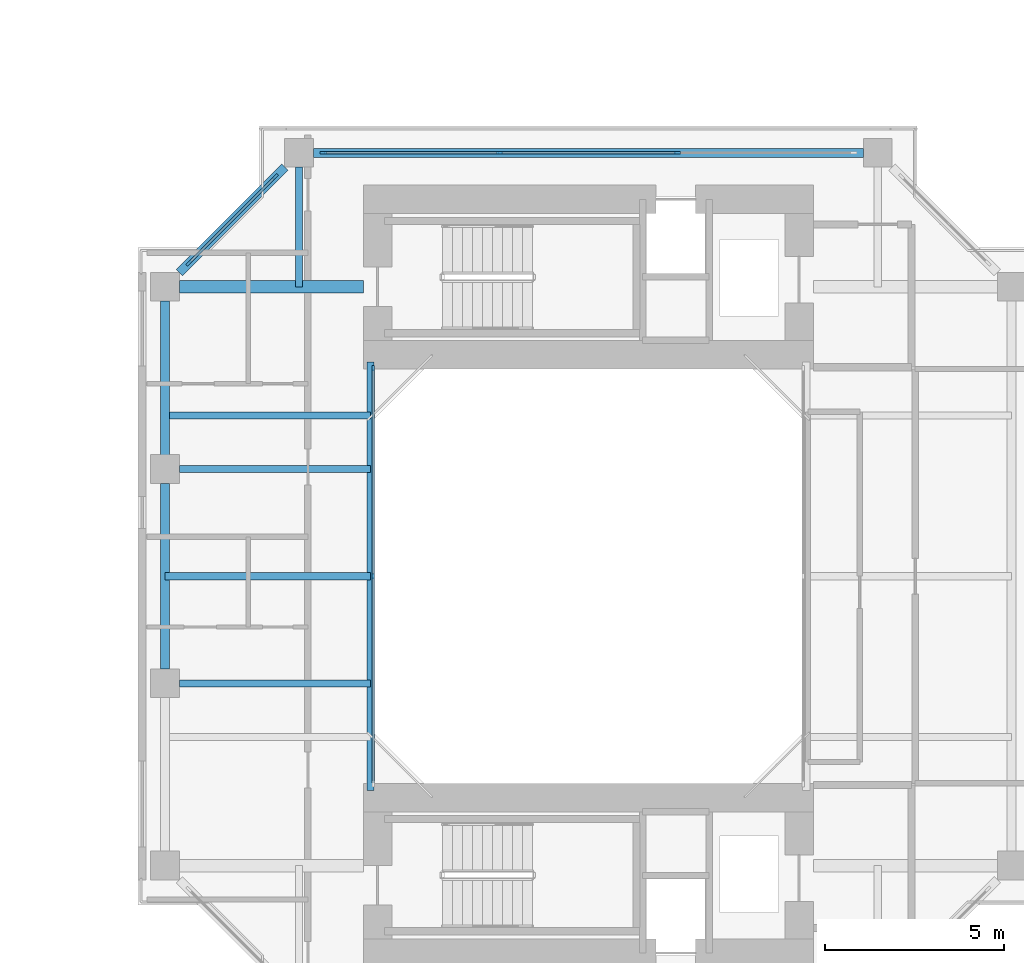
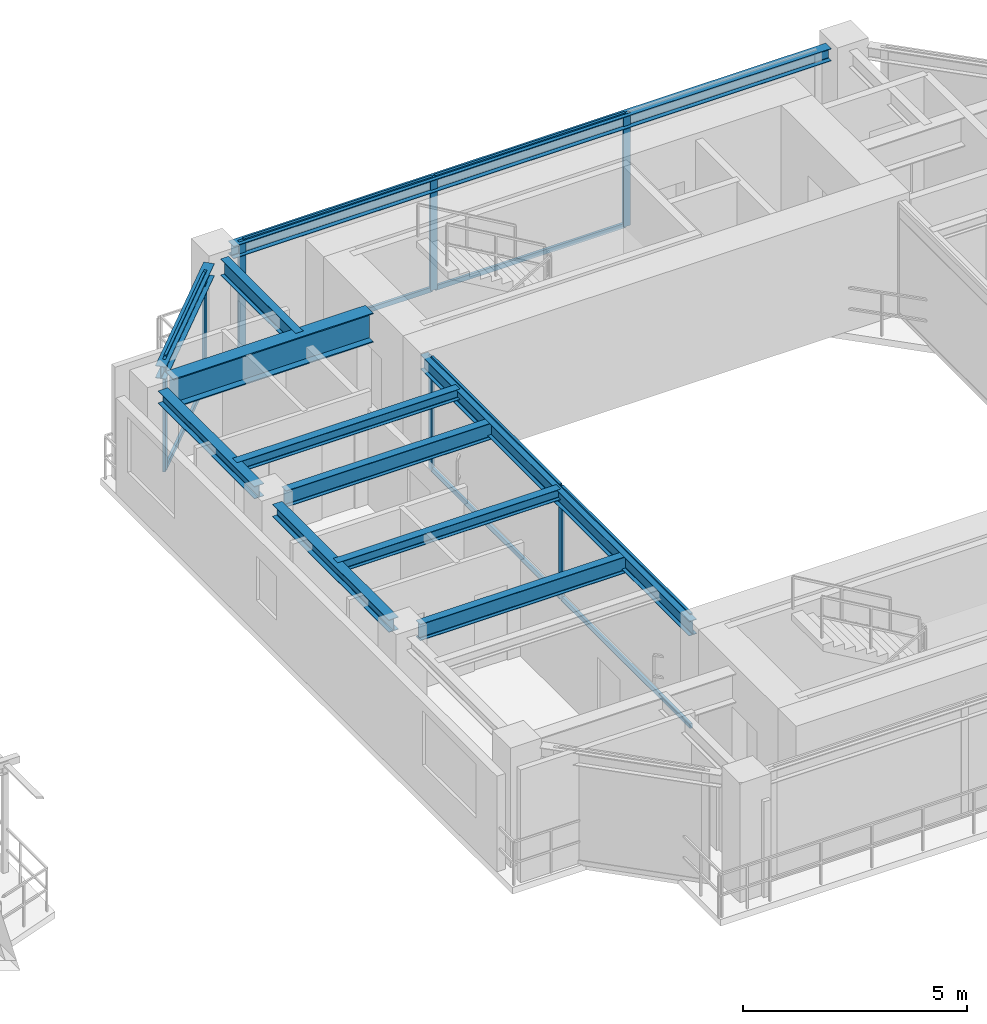
# One storey, part 8 of 23: 17 members, 11 beams, 3 elements without a shape of their own.
"""IFC4 building model written with IfcOpenShell, lengths in metres."""

from ifc_helpers import new_model, si_unit, direction, frame, origin, origin_2d, place, context, subcontext, project, spatial, rectangle, i_section, extrude, source, transform, mapped, material, layer, layer_set, material_profile, profile_set, type_object, element, aggregate, save


model = new_model("IFC4")

# Units and contexts
model_context = context("Model", 3, precision=1e-05, world=origin(), true_north=direction((0.0, 1.0)))
body_context = subcontext(model_context, "Body", "Model", "MODEL_VIEW")
ifc_project = project(units=[si_unit("LENGTHUNIT", "METRE"), si_unit("AREAUNIT", "SQUARE_METRE"), si_unit("VOLUMEUNIT", "CUBIC_METRE"), si_unit("PLANEANGLEUNIT", "RADIAN"), si_unit("MASSUNIT", "GRAM", prefix="KILO"), si_unit("THERMODYNAMICTEMPERATUREUNIT", "KELVIN"), si_unit("POWERUNIT", "WATT")], contexts=[model_context])

# Site, building, storey
site_placement = place(None, origin())
site = spatial("IfcSite", under=ifc_project, at=site_placement, CompositionType="ELEMENT")
building_placement = place(site_placement, origin())
building = spatial("IfcBuilding", under=site, at=building_placement, Name="Qiaomeng Ring Towers", CompositionType="ELEMENT")
storey_placement = place(building_placement, frame((0.0, 0.0, 103.5)))
storey = spatial("IfcBuildingStorey", under=building, at=storey_placement, Name="L29", CompositionType="ELEMENT", Elevation=103.5)

# Beams
ifc_material_1 = material(Name="Steel Q355B", Category="steel")
ifc_material_profile_1 = material_profile(ifc_material_1, i_section(OverallWidth=0.199951171875, OverallDepth=0.39990234375, WebThickness=0.008056640625, FlangeThickness=0.012939453125, FilletRadius=0.01611328125, at=origin_2d()), Name="HN 400x200x8x13")
ifc_profile_set_1 = profile_set([ifc_material_profile_1], Name="Steel Q355B")
beam_type_1 = type_object("IfcBeamType", Name="STR-BM-HN400", PredefinedType="SPANDREL", material=ifc_profile_set_1)
shared_shape_1 = source(origin(), body_context, "Body", "SweptSolid", [
    extrude(i_section(OverallWidth=0.199951171875, OverallDepth=0.39990234375, WebThickness=0.008056640625, FlangeThickness=0.012939453125, FilletRadius=0.01611328125, at=origin_2d()), origin(), (0.0, 0.0, 1.0), 12.0),
])
beam_1_placement = place(storey_placement, frame((54.39990234375, 17.0, 2.8701171875), z_axis=(0.0, 1.0, 0.0), x_axis=(-1.0, 0.0, 0.0)))
element("IfcBeam", 1, at=beam_1_placement, inside=storey, type_object=beam_type_1, Name="L29 beam STR-BM-L29-T2-WELL-W", PredefinedType="SPANDREL", context=body_context, shape_type="MappedRepresentation", body=[
    mapped(shared_shape_1, transform((0.0, 0.0, 0.0), x_axis=(1.0, 0.0, 0.0), y_axis=(0.0, 1.0, 0.0), z_axis=(0.0, 0.0, 1.0), scale=1.0)),
])
ifc_material_profile_2 = material_profile(ifc_material_1, i_section(OverallWidth=0.25, OverallDepth=0.340087890625, WebThickness=0.009033203125, FlangeThickness=0.013916015625, FilletRadius=0.02001953125, at=origin_2d()), Name="HM 340x250x9x14")
ifc_profile_set_2 = profile_set([ifc_material_profile_2], Name="Steel Q355B")
beam_type_2 = type_object("IfcBeamType", Name="STR-BM-HM340", PredefinedType="SPANDREL", material=ifc_profile_set_2)
shared_shape_2 = source(origin(), body_context, "Body", "SweptSolid", [
    extrude(i_section(OverallWidth=0.25, OverallDepth=0.340087890625, WebThickness=0.009033203125, FlangeThickness=0.013916015625, FilletRadius=0.02001953125, at=origin_2d()), origin(), (0.0, 0.0, 1.0), 15.40185546875),
])
beam_2_placement = place(storey_placement, frame((68.200927734375, 34.85009765625, 2.89990234375), z_axis=(-1.0, 0.0, 0.0), x_axis=(0.0, -1.0, 0.0)))
element("IfcBeam", 2, at=beam_2_placement, inside=storey, type_object=beam_type_2, Name="L29 beam STR-SP-L29-T2-N2-N1", PredefinedType="SPANDREL", context=body_context, shape_type="MappedRepresentation", body=[
    mapped(shared_shape_2, transform((0.0, 0.0, 0.0), x_axis=(1.0, 0.0, 0.0), y_axis=(0.0, 1.0, 0.0), z_axis=(0.0, 0.0, 1.0), scale=1.0)),
])
shared_shape_3 = source(origin(), body_context, "Body", "SweptSolid", [
    extrude(i_section(OverallWidth=0.25, OverallDepth=0.340087890625, WebThickness=0.009033203125, FlangeThickness=0.013916015625, FilletRadius=0.02001953125, at=origin_2d()), origin(), (0.0, 0.0, 1.0), 4.173828125),
])
beam_3_placement = place(storey_placement, frame((52.000732421875, 34.45068359375, 2.89990234375), z_axis=(-0.707106781187, -0.707106781187, 0.0), x_axis=(0.707106781187, -0.707106781187, 0.0)))
element("IfcBeam", 3, at=beam_3_placement, inside=storey, type_object=beam_type_2, Name="L29 beam STR-SP-L29-T2-N1-W4", PredefinedType="SPANDREL", context=body_context, shape_type="MappedRepresentation", body=[
    mapped(shared_shape_3, transform((0.0, 0.0, 0.0), x_axis=(1.0, 0.0, 0.0), y_axis=(0.0, 1.0, 0.0), z_axis=(0.0, 0.0, 1.0), scale=1.0)),
])
shared_shape_4 = source(origin(), body_context, "Body", "SweptSolid", [
    extrude(i_section(OverallWidth=0.25, OverallDepth=0.340087890625, WebThickness=0.009033203125, FlangeThickness=0.013916015625, FilletRadius=0.02001953125, at=origin_2d()), origin(), (0.0, 0.0, 1.0), 4.302001953125),
])
beam_4_placement = place(storey_placement, frame((48.64990234375, 30.700927734375, 2.89990234375), z_axis=(0.0, -1.0, 0.0), x_axis=(1.0, 0.0, 0.0)))
element("IfcBeam", 4, at=beam_4_placement, inside=storey, type_object=beam_type_2, Name="L29 beam STR-SP-L29-T2-W4-W3", PredefinedType="SPANDREL", context=body_context, shape_type="MappedRepresentation", body=[
    mapped(shared_shape_4, transform((0.0, 0.0, 0.0), x_axis=(1.0, 0.0, 0.0), y_axis=(0.0, 1.0, 0.0), z_axis=(0.0, 0.0, 1.0), scale=1.0)),
])
shared_shape_5 = source(origin(), body_context, "Body", "SweptSolid", [
    extrude(i_section(OverallWidth=0.25, OverallDepth=0.340087890625, WebThickness=0.009033203125, FlangeThickness=0.013916015625, FilletRadius=0.02001953125, at=origin_2d()), origin(), (0.0, 0.0, 1.0), 5.2021484375),
])
beam_5_placement = place(storey_placement, frame((48.64990234375, 25.60107421875, 2.89990234375), z_axis=(0.0, -1.0, 0.0), x_axis=(1.0, 0.0, 0.0)))
element("IfcBeam", 5, at=beam_5_placement, inside=storey, type_object=beam_type_2, Name="L29 beam STR-SP-L29-T2-W3-W2", PredefinedType="SPANDREL", context=body_context, shape_type="MappedRepresentation", body=[
    mapped(shared_shape_5, transform((0.0, 0.0, 0.0), x_axis=(1.0, 0.0, 0.0), y_axis=(0.0, 1.0, 0.0), z_axis=(0.0, 0.0, 1.0), scale=1.0)),
])
ifc_material_2 = material(Name="Steel Q390GJC", Category="steel")
ifc_material_profile_3 = material_profile(ifc_material_2, i_section(OverallWidth=0.35009765625, OverallDepth=0.800048828125, WebThickness=0.01611328125, FlangeThickness=0.028076171875, at=origin_2d()), Name="WH 800x350x16x28")
ifc_profile_set_3 = profile_set([ifc_material_profile_3], Name="Steel Q390GJC")
beam_type_3 = type_object("IfcBeamType", Name="STR-BM-WH800", PredefinedType="BEAM", material=ifc_profile_set_3)
shared_shape_6 = source(origin(), body_context, "Body", "SweptSolid", [
    extrude(i_section(OverallWidth=0.35009765625, OverallDepth=0.800048828125, WebThickness=0.01611328125, FlangeThickness=0.028076171875, at=origin_2d()), origin(), (0.0, 0.0, 1.0), 5.15087890625),
])
beam_6_placement = place(storey_placement, frame((49.049072265625, 31.10009765625, 2.669921875), z_axis=(1.0, 0.0, 0.0), x_axis=(0.0, 1.0, 0.0)))
element("IfcBeam", 6, at=beam_6_placement, inside=storey, type_object=beam_type_3, Name="L29 beam STR-BM-L29-T2-RAD-W4", PredefinedType="BEAM", context=body_context, shape_type="MappedRepresentation", body=[
    mapped(shared_shape_6, transform((0.0, 0.0, 0.0), x_axis=(1.0, 0.0, 0.0), y_axis=(0.0, 1.0, 0.0), z_axis=(0.0, 0.0, 1.0), scale=1.0)),
])
ifc_material_profile_4 = material_profile(ifc_material_1, i_section(OverallWidth=0.199951171875, OverallDepth=0.449951171875, WebThickness=0.009033203125, FlangeThickness=0.013916015625, FilletRadius=0.01806640625, at=origin_2d()), Name="HN 450x200x9x14")
ifc_profile_set_4 = profile_set([ifc_material_profile_4], Name="Steel Q355B")
beam_type_4 = type_object("IfcBeamType", Name="STR-BM-HN450", PredefinedType="SPANDREL", material=ifc_profile_set_4)
shared_shape_7 = source(origin(), body_context, "Body", "SweptSolid", [
    extrude(i_section(OverallWidth=0.199951171875, OverallDepth=0.449951171875, WebThickness=0.009033203125, FlangeThickness=0.013916015625, FilletRadius=0.01806640625, at=origin_2d()), origin(), (0.0, 0.0, 1.0), 5.350830078125),
])
for number, where, z_axis, x_axis, name in (
    (7, (49.049072265625, 20.0, 2.844970703125), (1.0, 0.0, 0.0), (0.0, 1.0, 0.0), "L29 beam STR-BM-L29-T2-RAD-W2"),
    (8, (49.049072265625, 26.0, 2.844970703125), (1.0, 0.0, 0.0), (0.0, 1.0, 0.0), "L29 beam STR-BM-L29-T2-RAD-W3"),
):
    element("IfcBeam", number, at=place(storey_placement, frame(where, z_axis=z_axis, x_axis=x_axis)), inside=storey, type_object=beam_type_4, Name=name, PredefinedType="SPANDREL", context=body_context, shape_type="MappedRepresentation", body=[
        mapped(shared_shape_7, transform((0.0, 0.0, 0.0), x_axis=(1.0, 0.0, 0.0), y_axis=(0.0, 1.0, 0.0), z_axis=(0.0, 0.0, 1.0), scale=1.0)),
    ])
shared_shape_8 = source(origin(), body_context, "Body", "SweptSolid", [
    extrude(i_section(OverallWidth=0.199951171875, OverallDepth=0.449951171875, WebThickness=0.009033203125, FlangeThickness=0.013916015625, FilletRadius=0.01806640625, at=origin_2d()), origin(), (0.0, 0.0, 1.0), 3.350830078125),
])
beam_7_placement = place(storey_placement, frame((52.39990234375, 34.450927734375, 2.844970703125), z_axis=(0.0, -1.0, 0.0), x_axis=(1.0, 0.0, 0.0)))
element("IfcBeam", 9, at=beam_7_placement, inside=storey, type_object=beam_type_4, Name="L29 beam STR-BM-L29-T2-RAD-N1", PredefinedType="SPANDREL", context=body_context, shape_type="MappedRepresentation", body=[
    mapped(shared_shape_8, transform((0.0, 0.0, 0.0), x_axis=(1.0, 0.0, 0.0), y_axis=(0.0, 1.0, 0.0), z_axis=(0.0, 0.0, 1.0), scale=1.0)),
])
ifc_material_profile_5 = material_profile(ifc_material_1, i_section(OverallWidth=0.199951171875, OverallDepth=0.2939453125, WebThickness=0.008056640625, FlangeThickness=0.011962890625, FilletRadius=0.01806640625, at=origin_2d()), Name="HM 294x200x8x12")
ifc_profile_set_5 = profile_set([ifc_material_profile_5], Name="Steel Q355B")
beam_type_5 = type_object("IfcBeamType", Name="STR-BM-HM294", PredefinedType="JOIST", material=ifc_profile_set_5)
shared_shape_9 = source(origin(), body_context, "Body", "SweptSolid", [
    extrude(i_section(OverallWidth=0.199951171875, OverallDepth=0.2939453125, WebThickness=0.008056640625, FlangeThickness=0.011962890625, FilletRadius=0.01806640625, at=origin_2d()), origin(), (0.0, 0.0, 1.0), 5.75),
])
for number, where, z_axis, x_axis, name in (
    (10, (48.64990234375, 23.0, 2.923095703125), (1.0, 0.0, 0.0), (0.0, 1.0, 0.0), "L29 beam STR-JST-L29-T2W-2"),
    (11, (48.64990234375, 27.5, 2.923095703125), (1.0, 0.0, 0.0), (0.0, 1.0, 0.0), "L29 beam STR-JST-L29-T2W-3"),
):
    element("IfcBeam", number, at=place(storey_placement, frame(where, z_axis=z_axis, x_axis=x_axis)), inside=storey, type_object=beam_type_5, Name=name, PredefinedType="JOIST", context=body_context, shape_type="MappedRepresentation", body=[
        mapped(shared_shape_9, transform((0.0, 0.0, 0.0), x_axis=(1.0, 0.0, 0.0), y_axis=(0.0, 1.0, 0.0), z_axis=(0.0, 0.0, 1.0), scale=1.0)),
    ])

# Curtain wall, members
ifc_material_3 = material(Name="Fluorocarbon dark-grey aluminium", Category="aluminium")
ifc_layer_1 = layer(ifc_material_3, 0.139892578125, Name="Fluorocarbon dark-grey aluminium")
ifc_layer_set_1 = layer_set([ifc_layer_1], Name="Fluorocarbon dark-grey aluminium")
curtain_wall_type_1 = type_object("IfcCurtainWallType", Name="ARC-CW-4", PredefinedType="NOTDEFINED", material=ifc_layer_set_1)
curtain_wall_1_placement = place(storey_placement, origin())
curtain_wall_1 = element("IfcCurtainWall", 12, at=curtain_wall_1_placement, inside=storey, type_object=curtain_wall_type_1, Name="L29 Curtain Wall CW4", PredefinedType="NOTDEFINED")
ifc_material_profile_6 = material_profile(ifc_material_3, rectangle(XDim=0.06494140625, YDim=0.159912109375, at=origin_2d()), Name="ALU MULL 65x160")
ifc_profile_set_6 = profile_set([ifc_material_profile_6], Name="Fluorocarbon dark-grey aluminium")
member_type_1 = type_object("IfcMemberType", Name="ARC-CWM-140", PredefinedType="MULLION", material=ifc_profile_set_6)
shared_shape_10 = source(origin(), body_context, "Body", "SweptSolid", [
    extrude(rectangle(XDim=0.06494140625, YDim=0.159912109375, at=origin_2d()), origin(), (0.0, 0.0, 1.0), 3.070068359375),
])
member_1_placement = place(storey_placement, frame((54.47998046875, 23.0, 0.0), z_axis=(0.0, 0.0, 1.0), x_axis=(-1.0, 0.0, 0.0)))
member_1 = element("IfcMember", 13, at=member_1_placement, type_object=member_type_1, Name="CW4 mullion 2", PredefinedType="MULLION", context=body_context, shape_type="MappedRepresentation", body=[
    mapped(shared_shape_10, transform((0.0, 0.0, 0.0), x_axis=(1.0, 0.0, 0.0), y_axis=(0.0, 1.0, 0.0), z_axis=(0.0, 0.0, 1.0), scale=1.0)),
])
member_2_placement = place(storey_placement, frame((54.47998046875, 28.8173828125, 0.0), z_axis=(0.0, 0.0, 1.0), x_axis=(-1.0, 0.0, 0.0)))
member_2 = element("IfcMember", 14, at=member_2_placement, type_object=member_type_1, Name="CW4 mullion 3", PredefinedType="MULLION", context=body_context, shape_type="MappedRepresentation", body=[
    mapped(shared_shape_10, transform((0.0, 0.0, 0.0), x_axis=(1.0, 0.0, 0.0), y_axis=(0.0, 1.0, 0.0), z_axis=(0.0, 0.0, 1.0), scale=1.0)),
])
ifc_material_profile_7 = material_profile(ifc_material_3, rectangle(XDim=0.06494140625, YDim=0.1298828125, at=origin_2d()), Name="ALU TRAN 65x130")
ifc_profile_set_7 = profile_set([ifc_material_profile_7], Name="Fluorocarbon dark-grey aluminium")
member_type_2 = type_object("IfcMemberType", Name="ARC-CWT-120", PredefinedType="USERDEFINED", material=ifc_profile_set_7)
shared_shape_11 = source(origin(), body_context, "Body", "SweptSolid", [
    extrude(rectangle(XDim=0.06494140625, YDim=0.1298828125, at=origin_2d()), origin(), (0.0, 0.0, 1.0), 5.75244140625),
])
member_3_placement = place(storey_placement, frame((54.47998046875, 17.215087890625, 0.032470703125), z_axis=(0.0, 1.0, 0.0), x_axis=(-1.0, 0.0, 0.0)))
member_3 = element("IfcMember", 15, at=member_3_placement, type_object=member_type_2, Name="CW4 transom 1.1", ObjectType="TRANSOM", PredefinedType="USERDEFINED", context=body_context, shape_type="MappedRepresentation", body=[
    mapped(shared_shape_11, transform((0.0, 0.0, 0.0), x_axis=(1.0, 0.0, 0.0), y_axis=(0.0, 1.0, 0.0), z_axis=(0.0, 0.0, 1.0), scale=1.0)),
])
member_4_placement = place(storey_placement, frame((54.47998046875, 17.215087890625, 3.03759765625), z_axis=(0.0, 1.0, 0.0), x_axis=(-1.0, 0.0, 0.0)))
member_4 = element("IfcMember", 16, at=member_4_placement, type_object=member_type_2, Name="CW4 transom 1.2", ObjectType="TRANSOM", PredefinedType="USERDEFINED", context=body_context, shape_type="MappedRepresentation", body=[
    mapped(shared_shape_11, transform((0.0, 0.0, 0.0), x_axis=(1.0, 0.0, 0.0), y_axis=(0.0, 1.0, 0.0), z_axis=(0.0, 0.0, 1.0), scale=1.0)),
])
member_5_placement = place(storey_placement, frame((54.47998046875, 23.032470703125, 0.032470703125), z_axis=(0.0, 1.0, 0.0), x_axis=(-1.0, 0.0, 0.0)))
member_5 = element("IfcMember", 17, at=member_5_placement, type_object=member_type_2, Name="CW4 transom 2.1", ObjectType="TRANSOM", PredefinedType="USERDEFINED", context=body_context, shape_type="MappedRepresentation", body=[
    mapped(shared_shape_11, transform((0.0, 0.0, 0.0), x_axis=(1.0, 0.0, 0.0), y_axis=(0.0, 1.0, 0.0), z_axis=(0.0, 0.0, 1.0), scale=1.0)),
])
member_6_placement = place(storey_placement, frame((54.47998046875, 23.032470703125, 3.03759765625), z_axis=(0.0, 1.0, 0.0), x_axis=(-1.0, 0.0, 0.0)))
member_6 = element("IfcMember", 18, at=member_6_placement, type_object=member_type_2, Name="CW4 transom 2.2", ObjectType="TRANSOM", PredefinedType="USERDEFINED", context=body_context, shape_type="MappedRepresentation", body=[
    mapped(shared_shape_11, transform((0.0, 0.0, 0.0), x_axis=(1.0, 0.0, 0.0), y_axis=(0.0, 1.0, 0.0), z_axis=(0.0, 0.0, 1.0), scale=1.0)),
])
aggregate(curtain_wall_1, [member_1, member_2, member_3, member_4, member_5, member_6])

ifc_layer_2 = layer(ifc_material_3, 0.14990234375, Name="Fluorocarbon dark-grey aluminium")
ifc_layer_set_2 = layer_set([ifc_layer_2], Name="Fluorocarbon dark-grey aluminium")
curtain_wall_type_2 = type_object("IfcCurtainWallType", Name="ARC-CW-5", PredefinedType="NOTDEFINED", material=ifc_layer_set_2)
curtain_wall_2_placement = place(storey_placement, origin())
curtain_wall_2 = element("IfcCurtainWall", 19, at=curtain_wall_2_placement, inside=storey, type_object=curtain_wall_type_2, Name="L29 Curtain Wall CW5", PredefinedType="NOTDEFINED")
ifc_material_profile_8 = material_profile(ifc_material_3, rectangle(XDim=0.070068359375, YDim=0.179931640625, at=origin_2d()), Name="ALU MULL 70x180")
ifc_profile_set_8 = profile_set([ifc_material_profile_8], Name="Fluorocarbon dark-grey aluminium")
member_type_3 = type_object("IfcMemberType", Name="ARC-CWM-160", PredefinedType="MULLION", material=ifc_profile_set_8)
shared_shape_12 = source(origin(), body_context, "Body", "SweptSolid", [
    extrude(rectangle(XDim=0.070068359375, YDim=0.179931640625, at=origin_2d()), origin(), (0.0, 0.0, 1.0), 3.070068359375),
])
member_7_placement = place(storey_placement, frame((53.074951171875, 34.85009765625, 0.0), z_axis=(0.0, 0.0, 1.0), x_axis=(0.0, 1.0, 0.0)))
member_7 = element("IfcMember", 20, at=member_7_placement, type_object=member_type_3, Name="CW5 mullion 1", PredefinedType="MULLION", context=body_context, shape_type="MappedRepresentation", body=[
    mapped(shared_shape_12, transform((0.0, 0.0, 0.0), x_axis=(1.0, 0.0, 0.0), y_axis=(0.0, 1.0, 0.0), z_axis=(0.0, 0.0, 1.0), scale=1.0)),
])
member_8_placement = place(storey_placement, frame((58.013427734375, 34.85009765625, 0.0), z_axis=(0.0, 0.0, 1.0), x_axis=(0.0, 1.0, 0.0)))
member_8 = element("IfcMember", 21, at=member_8_placement, type_object=member_type_3, Name="CW5 mullion 2", PredefinedType="MULLION", context=body_context, shape_type="MappedRepresentation", body=[
    mapped(shared_shape_12, transform((0.0, 0.0, 0.0), x_axis=(1.0, 0.0, 0.0), y_axis=(0.0, 1.0, 0.0), z_axis=(0.0, 0.0, 1.0), scale=1.0)),
])
member_9_placement = place(storey_placement, frame((62.986572265625, 34.85009765625, 0.0), z_axis=(0.0, 0.0, 1.0), x_axis=(0.0, 1.0, 0.0)))
member_9 = element("IfcMember", 22, at=member_9_placement, type_object=member_type_3, Name="CW5 mullion 3", PredefinedType="MULLION", context=body_context, shape_type="MappedRepresentation", body=[
    mapped(shared_shape_12, transform((0.0, 0.0, 0.0), x_axis=(1.0, 0.0, 0.0), y_axis=(0.0, 1.0, 0.0), z_axis=(0.0, 0.0, 1.0), scale=1.0)),
])

curtain_wall_3_placement = place(storey_placement, origin())
curtain_wall_3 = element("IfcCurtainWall", 23, at=curtain_wall_3_placement, inside=storey, type_object=curtain_wall_type_2, Name="L29 Curtain Wall CW5", PredefinedType="NOTDEFINED")
member_10_placement = place(storey_placement, frame((51.7353515625, 34.185302734375, 0.0), z_axis=(0.0, 0.0, 1.0), x_axis=(0.707106781187, -0.707106781187, 0.0)))
member_10 = element("IfcMember", 24, at=member_10_placement, type_object=member_type_3, Name="CW5 mullion 1", PredefinedType="MULLION", context=body_context, shape_type="MappedRepresentation", body=[
    mapped(shared_shape_12, transform((0.0, 0.0, 0.0), x_axis=(1.0, 0.0, 0.0), y_axis=(0.0, 1.0, 0.0), z_axis=(0.0, 0.0, 1.0), scale=1.0)),
])
member_11_placement = place(storey_placement, frame((49.314697265625, 31.7646484375, 0.0), z_axis=(0.0, 0.0, 1.0), x_axis=(0.707106781187, -0.707106781187, 0.0)))
member_11 = element("IfcMember", 25, at=member_11_placement, type_object=member_type_3, Name="CW5 mullion 2", PredefinedType="MULLION", context=body_context, shape_type="MappedRepresentation", body=[
    mapped(shared_shape_12, transform((0.0, 0.0, 0.0), x_axis=(1.0, 0.0, 0.0), y_axis=(0.0, 1.0, 0.0), z_axis=(0.0, 0.0, 1.0), scale=1.0)),
])

# Member
shared_shape_13 = source(origin(), body_context, "Body", "SweptSolid", [
    extrude(rectangle(XDim=0.06494140625, YDim=0.1298828125, at=origin_2d()), origin(), (0.0, 0.0, 1.0), 4.8681640625),
])
member_12_placement = place(storey_placement, frame((53.110107421875, 34.85009765625, 0.032470703125), z_axis=(1.0, 0.0, 0.0), x_axis=(0.0, 1.0, 0.0)))
member_12 = element("IfcMember", 26, at=member_12_placement, type_object=member_type_2, Name="CW5 transom 1.1", ObjectType="TRANSOM", PredefinedType="USERDEFINED", context=body_context, shape_type="MappedRepresentation", body=[
    mapped(shared_shape_13, transform((0.0, 0.0, 0.0), x_axis=(1.0, 0.0, 0.0), y_axis=(0.0, 1.0, 0.0), z_axis=(0.0, 0.0, 1.0), scale=1.0)),
])

member_13_placement = place(storey_placement, frame((53.110107421875, 34.85009765625, 3.03759765625), z_axis=(1.0, 0.0, 0.0), x_axis=(0.0, 1.0, 0.0)))
member_13 = element("IfcMember", 27, at=member_13_placement, type_object=member_type_2, Name="CW5 transom 1.2", ObjectType="TRANSOM", PredefinedType="USERDEFINED", context=body_context, shape_type="MappedRepresentation", body=[
    mapped(shared_shape_13, transform((0.0, 0.0, 0.0), x_axis=(1.0, 0.0, 0.0), y_axis=(0.0, 1.0, 0.0), z_axis=(0.0, 0.0, 1.0), scale=1.0)),
])

shared_shape_14 = source(origin(), body_context, "Body", "SweptSolid", [
    extrude(rectangle(XDim=0.06494140625, YDim=0.1298828125, at=origin_2d()), origin(), (0.0, 0.0, 1.0), 4.9033203125),
])
member_14_placement = place(storey_placement, frame((58.04833984375, 34.85009765625, 0.032470703125), z_axis=(1.0, 0.0, 0.0), x_axis=(0.0, 1.0, 0.0)))
member_14 = element("IfcMember", 28, at=member_14_placement, type_object=member_type_2, Name="CW5 transom 2.1", ObjectType="TRANSOM", PredefinedType="USERDEFINED", context=body_context, shape_type="MappedRepresentation", body=[
    mapped(shared_shape_14, transform((0.0, 0.0, 0.0), x_axis=(1.0, 0.0, 0.0), y_axis=(0.0, 1.0, 0.0), z_axis=(0.0, 0.0, 1.0), scale=1.0)),
])

member_15_placement = place(storey_placement, frame((58.04833984375, 34.85009765625, 3.03759765625), z_axis=(1.0, 0.0, 0.0), x_axis=(0.0, 1.0, 0.0)))
member_15 = element("IfcMember", 29, at=member_15_placement, type_object=member_type_2, Name="CW5 transom 2.2", ObjectType="TRANSOM", PredefinedType="USERDEFINED", context=body_context, shape_type="MappedRepresentation", body=[
    mapped(shared_shape_14, transform((0.0, 0.0, 0.0), x_axis=(1.0, 0.0, 0.0), y_axis=(0.0, 1.0, 0.0), z_axis=(0.0, 0.0, 1.0), scale=1.0)),
])

aggregate(curtain_wall_2, [member_7, member_8, member_9, member_12, member_13, member_14, member_15])

shared_shape_15 = source(origin(), body_context, "Body", "SweptSolid", [
    extrude(rectangle(XDim=0.06494140625, YDim=0.1298828125, at=origin_2d()), origin(), (0.0, 0.0, 1.0), 3.352783203125),
])
member_16_placement = place(storey_placement, frame((51.71044921875, 34.160400390625, 0.032470703125), z_axis=(-0.707106781187, -0.707106781187, 0.0), x_axis=(0.707106781187, -0.707106781187, 0.0)))
member_16 = element("IfcMember", 30, at=member_16_placement, type_object=member_type_2, Name="CW5 transom 1.1", ObjectType="TRANSOM", PredefinedType="USERDEFINED", context=body_context, shape_type="MappedRepresentation", body=[
    mapped(shared_shape_15, transform((0.0, 0.0, 0.0), x_axis=(1.0, 0.0, 0.0), y_axis=(0.0, 1.0, 0.0), z_axis=(0.0, 0.0, 1.0), scale=1.0)),
])

member_17_placement = place(storey_placement, frame((51.71044921875, 34.160400390625, 3.03759765625), z_axis=(-0.707106781187, -0.707106781187, 0.0), x_axis=(0.707106781187, -0.707106781187, 0.0)))
member_17 = element("IfcMember", 31, at=member_17_placement, type_object=member_type_2, Name="CW5 transom 1.2", ObjectType="TRANSOM", PredefinedType="USERDEFINED", context=body_context, shape_type="MappedRepresentation", body=[
    mapped(shared_shape_15, transform((0.0, 0.0, 0.0), x_axis=(1.0, 0.0, 0.0), y_axis=(0.0, 1.0, 0.0), z_axis=(0.0, 0.0, 1.0), scale=1.0)),
])

aggregate(curtain_wall_3, [member_10, member_11, member_16, member_17])

save(model, "model.ifc")
